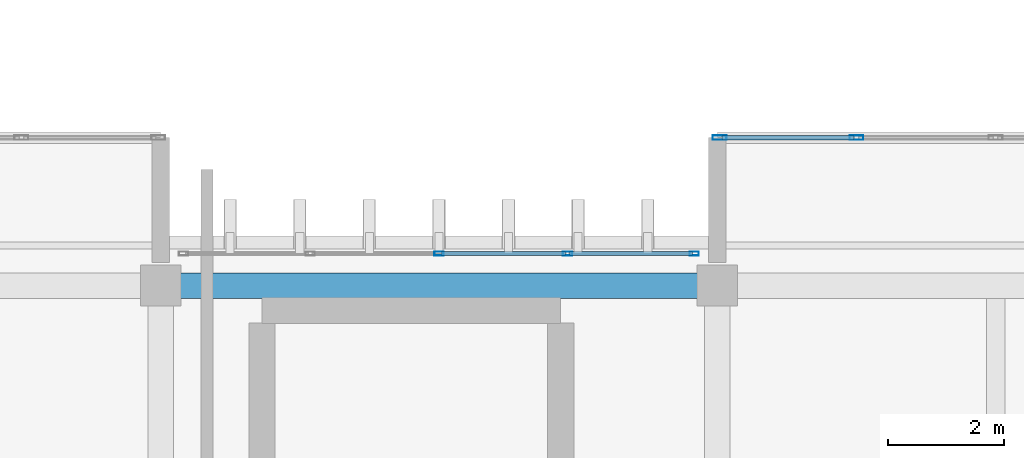
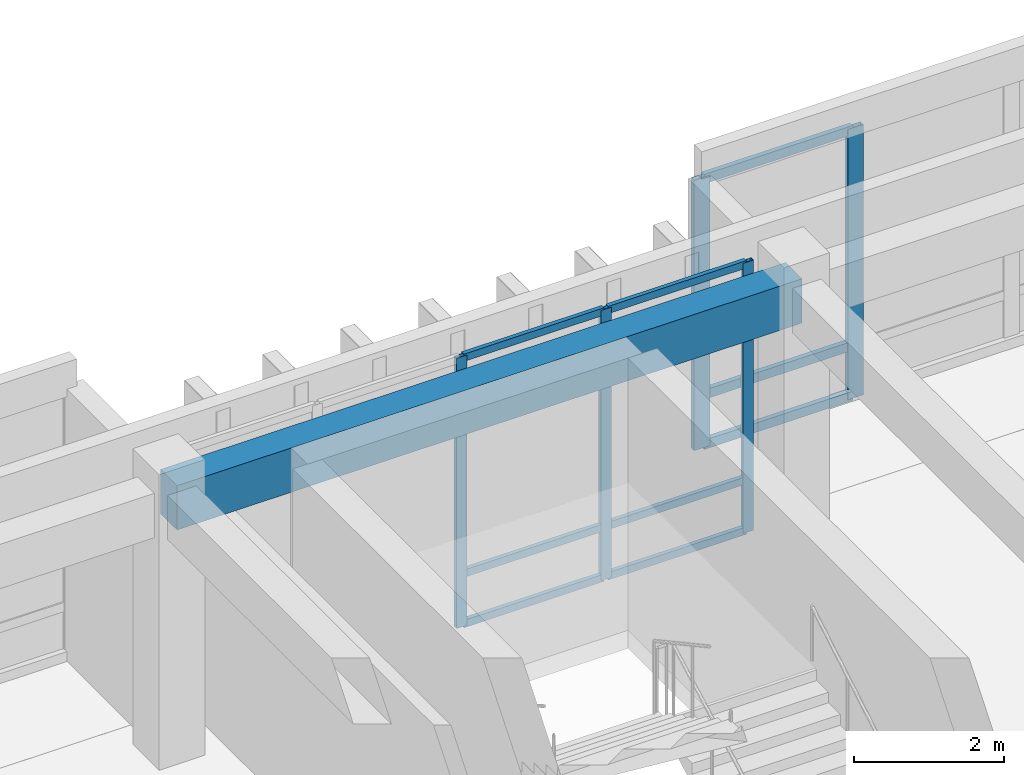
# One storey, part 51 of 133: 14 members, 1 beam, 2 elements without a shape of their own.
"""IFC4 building model written with IfcOpenShell, lengths in metres."""

import ifcopenshell
import ifcopenshell.guid

model = None  # the IFC model being written
_history = None  # IfcOwnerHistory: only IFC2X3 demands one
_inside = {}  # id of a spatial element -> (the spatial element, [elements in it])
_under = {}  # id of a project, library or spatial element -> (it, [spatial elements below it])
_declared = {}  # id of a project -> (the project, [libraries it declares])
_typed = {}  # id of a type object -> (the type object, [elements of that type])
_made_of = {}  # id of a material, layer set ... -> (it, [elements and type objects made of it])


def new_model(schema):
    """Start an empty IFC model of exactly this schema.

    Asked for "IFC4X3", IfcOpenShell would pick the latest addendum, in which some entities
    have other attributes; the version numbers below select the first issue.
    IFC2X3 requires an IfcOwnerHistory on every rooted entity: one is made here for all.
    """
    global model, _history
    if schema == "IFC4X3":
        model = ifcopenshell.file(schema_version=(4, 3, 0, 0))
    else:
        model = ifcopenshell.file(schema=schema)
    _inside.clear()
    _under.clear()
    _declared.clear()
    _typed.clear()
    _made_of.clear()
    _history = None
    if model.schema == "IFC2X3":
        org = make("IfcOrganization", Name="unknown")
        user = make(
            "IfcPersonAndOrganization",
            ThePerson=make("IfcPerson", FamilyName="unknown"),
            TheOrganization=org,
        )
        app = make(
            "IfcApplication",
            ApplicationDeveloper=org,
            Version="unknown",
            ApplicationFullName="unknown",
            ApplicationIdentifier="unknown",
        )
        _history = make(
            "IfcOwnerHistory",
            OwningUser=user,
            OwningApplication=app,
            ChangeAction="ADDED",
            CreationDate=0,
        )
    return model


def make(cls, **values):
    """One entity of the class cls with the attributes given. An attribute that is None is left unset."""
    return model.create_entity(
        cls, **{name: value for name, value in values.items() if value is not None}
    )


def rooted(cls, **values):
    """An entity with a GlobalId (a new one), such as an element, a storey or a relation."""
    return make(cls, GlobalId=ifcopenshell.guid.new(), OwnerHistory=_history, **values)


def si_unit(unit_type, name, prefix=None):
    """IfcSIUnit, for example si_unit("LENGTHUNIT", "METRE", prefix="MILLI")."""
    return make("IfcSIUnit", UnitType=unit_type, Prefix=prefix, Name=name)


def assignment(units):
    """IfcUnitAssignment: the units of a project."""
    return None if units is None else make("IfcUnitAssignment", Units=units)


def point(xyz):
    """IfcCartesianPoint."""
    return None if xyz is None else make("IfcCartesianPoint", Coordinates=xyz)


def direction(xyz):
    """IfcDirection."""
    return None if xyz is None else make("IfcDirection", DirectionRatios=xyz)


def frame(location, z_axis=None, x_axis=None):
    """IfcAxis2Placement3D, a coordinate frame: its origin and axes. An axis left out is left unset."""
    return make(
        "IfcAxis2Placement3D",
        Location=point(location),
        Axis=direction(z_axis),
        RefDirection=direction(x_axis),
    )


def frame_2d(location, x_axis=None):
    """IfcAxis2Placement2D, a coordinate frame in the plane: its origin and x axis."""
    return make(
        "IfcAxis2Placement2D", Location=point(location), RefDirection=direction(x_axis)
    )


def origin():
    """The frame at (0, 0, 0) with its axes left unset."""
    return frame((0.0, 0.0, 0.0))


def origin_2d():
    """The frame at (0, 0) in the plane with its x axis left unset."""
    return frame_2d((0.0, 0.0))


def place(relative_to, where):
    """IfcLocalPlacement: puts the frame where relative to a parent placement (None: the world)."""
    return make(
        "IfcLocalPlacement", PlacementRelTo=relative_to, RelativePlacement=where
    )


def context(
    kind, dimensions, precision=None, world=None, true_north=None, identifier=None
):
    """IfcGeometricRepresentationContext, for example the 3D "Model" context."""
    return make(
        "IfcGeometricRepresentationContext",
        ContextIdentifier=identifier,
        ContextType=kind,
        CoordinateSpaceDimension=dimensions,
        Precision=precision,
        WorldCoordinateSystem=world,
        TrueNorth=true_north,
    )


def subcontext(parent, identifier, kind, view, scale=None):
    """IfcGeometricRepresentationSubContext, for example "Body" below "Model"."""
    return make(
        "IfcGeometricRepresentationSubContext",
        ContextIdentifier=identifier,
        ContextType=kind,
        ParentContext=parent,
        TargetScale=scale,
        TargetView=view,
    )


def project(units=None, contexts=None):
    """IfcProject with its units and contexts."""
    return rooted(
        "IfcProject",
        Name="project",
        RepresentationContexts=contexts,
        UnitsInContext=assignment(units),
    )


def spatial(cls, under=None, at=None, **own):
    """A site, building, storey or space (cls), placed at a placement, below another one or the project."""
    s = rooted(cls, ObjectPlacement=at, **own)
    if under is not None:
        _under.setdefault(under.id(), (under, []))[1].append(s)
    return s


def profile(cls, at=None, kind="AREA", **sizes):
    """A parametric profile (cls). Its sizes go by their IFC names, for example OverallWidth=200.0."""
    return make(cls, ProfileType=kind, Position=at, **sizes)


def rectangle(**sizes):
    """IfcRectangleProfileDef."""
    return profile("IfcRectangleProfileDef", **sizes)


def hollow_rectangle(**sizes):
    """IfcRectangleHollowProfileDef."""
    return profile("IfcRectangleHollowProfileDef", **sizes)


def extrude(swept, where, along, depth):
    """IfcExtrudedAreaSolid: the profile swept, set in the frame where, extruded along a direction by depth."""
    return make(
        "IfcExtrudedAreaSolid",
        SweptArea=swept,
        Position=where,
        ExtrudedDirection=direction(along),
        Depth=depth,
    )


def shape(context_of_items, identifier, shape_type, items):
    """IfcShapeRepresentation: the items that make up one representation, for example the "Body"."""
    return make(
        "IfcShapeRepresentation",
        ContextOfItems=context_of_items,
        RepresentationIdentifier=identifier,
        RepresentationType=shape_type,
        Items=items,
    )


def material(Name=None, Category=None):
    """IfcMaterial."""
    return make("IfcMaterial", Name=Name, Category=Category)


def layer(
    of_material, thickness, ventilated=None, Name=None, Category=None, Priority=None
):
    """IfcMaterialLayer: one layer of a wall or slab, of a material (None: an air gap)."""
    return make(
        "IfcMaterialLayer",
        Material=of_material,
        LayerThickness=thickness,
        IsVentilated=ventilated,
        Name=Name,
        Category=Category,
        Priority=Priority,
    )


def layer_set(layers, Name=None):
    """IfcMaterialLayerSet."""
    return make("IfcMaterialLayerSet", MaterialLayers=layers, LayerSetName=Name)


def material_profile(
    of_material, cross_section, Name=None, Category=None, Priority=None
):
    """IfcMaterialProfile: a cross section and its material."""
    return make(
        "IfcMaterialProfile",
        Name=Name,
        Material=of_material,
        Profile=cross_section,
        Priority=Priority,
        Category=Category,
    )


def profile_set(profiles, Name=None, composite=None):
    """IfcMaterialProfileSet."""
    return make(
        "IfcMaterialProfileSet",
        Name=Name,
        MaterialProfiles=profiles,
        CompositeProfile=composite,
    )


def made_of(thing, what):
    """Note that an element or type object is made of a material, layer set ...; save() writes the relation."""
    if what is not None:
        _made_of.setdefault(what.id(), (what, []))[1].append(thing)
    return thing


def type_object(cls, material=None, **own):
    """A type object (cls), such as IfcWallType, which elements share."""
    return made_of(rooted(cls, **own), material)


def element(
    cls,
    number,
    at=None,
    inside=None,
    cuts=None,
    type_object=None,
    material=None,
    context=None,
    identifier="Body",
    shape_type=None,
    held_by="IfcProductDefinitionShape",
    body=None,
    shapes=None,
    **own,
):
    """One element of the class cls, such as IfcWall. Its Tag is "e" and its number.

    at: its placement. inside: the storey or other place that contains it. cuts: it is an
    opening in that element (IfcRelVoidsElement). A single representation is given by context,
    identifier, shape_type and body (its items); several are given by shapes. held_by: the class
    of the entity that holds the representations. save() writes the other relations.
    """
    e = rooted(cls, Tag="e%d" % number, ObjectPlacement=at, **own)
    if body is not None:
        shapes = [shape(context, identifier, shape_type, body)]
    if shapes is not None:
        e.Representation = make(held_by, Representations=shapes)
    if inside is not None:
        _inside.setdefault(inside.id(), (inside, []))[1].append(e)
    if cuts is not None:
        rooted(
            "IfcRelVoidsElement", RelatingBuildingElement=cuts, RelatedOpeningElement=e
        )
    if type_object is not None:
        _typed.setdefault(type_object.id(), (type_object, []))[1].append(e)
    return made_of(e, material)


def aggregate(whole, parts):
    """IfcRelAggregates: a whole, such as a stair, and the parts it consists of."""
    return rooted("IfcRelAggregates", RelatingObject=whole, RelatedObjects=parts)


def save(model, path):
    """Write the relations noted so far, then the file.

    IfcRelAggregates (storeys below a building ...), IfcRelContainedInSpatialStructure (elements
    in a storey), IfcRelDefinesByType, IfcRelAssociatesMaterial and IfcRelDeclares: one each for
    every whole, place, type object, material and project.
    """
    for whole, parts in _under.values():
        aggregate(whole, parts)
    for where, things in _inside.values():
        rooted(
            "IfcRelContainedInSpatialStructure",
            RelatedElements=things,
            RelatingStructure=where,
        )
    for kind, things in _typed.values():
        rooted("IfcRelDefinesByType", RelatedObjects=things, RelatingType=kind)
    for what, things in _made_of.values():
        rooted("IfcRelAssociatesMaterial", RelatedObjects=things, RelatingMaterial=what)
    for by, libraries in _declared.values():
        rooted("IfcRelDeclares", RelatingContext=by, RelatedDefinitions=libraries)
    model.write(path)


model = new_model("IFC4")

# Units and contexts
model_context = context("Model", 3, precision=1e-05, world=origin(), true_north=direction((0.0, 1.0)))
body_context = subcontext(model_context, "Body", "Model", "MODEL_VIEW")
ifc_project = project(units=[si_unit("LENGTHUNIT", "METRE"), si_unit("AREAUNIT", "SQUARE_METRE"), si_unit("VOLUMEUNIT", "CUBIC_METRE"), si_unit("PLANEANGLEUNIT", "RADIAN"), si_unit("MASSUNIT", "GRAM", prefix="KILO")], contexts=[model_context])

# Site, building, storey
site_placement = place(None, origin())
site = spatial("IfcSite", under=ifc_project, at=site_placement, CompositionType="ELEMENT")
building_placement = place(site_placement, origin())
building = spatial("IfcBuilding", under=site, at=building_placement, Name="Nakhvara Creek Congress Hotel", CompositionType="ELEMENT")
storey_placement = place(building_placement, frame((0.0, 0.0, 11.39990234375)))
storey = spatial("IfcBuildingStorey", under=building, at=storey_placement, Name="L02", CompositionType="ELEMENT", Elevation=11.39990234375)

# Beam
ifc_material_1 = material(Name="Concrete C40/50", Category="concrete")
ifc_material_profile_1 = material_profile(ifc_material_1, rectangle(XDim=0.43994140625, YDim=0.719970703125, at=origin_2d()), Name="RC-BM 440x720", Category="LoadBearing")
ifc_profile_set_1 = profile_set([ifc_material_profile_1], Name="Concrete C40/50")
beam_type = type_object("IfcBeamType", Name="BM-RC-440X720", PredefinedType="BEAM", material=ifc_profile_set_1)
beam_placement = place(storey_placement, frame((115.199951171875, 95.25, 4.06005859375), z_axis=(1.0, 0.0, 0.0), x_axis=(0.0, 1.0, 0.0)))
element("IfcBeam", 1, at=beam_placement, inside=storey, type_object=beam_type, Name="Beam B12-L02-1518", PredefinedType="BEAM", context=body_context, shape_type="SweptSolid", body=[
    extrude(rectangle(XDim=0.43994140625, YDim=0.719970703125, at=origin_2d()), origin(), (0.0, 0.0, 1.0), 9.60009765625),
])

# Curtain wall, members
ifc_material_2 = material(Name="Bronze-anodised aluminium AW-6063-T6 and double-silver low-E glass", Category="aluminium")
ifc_layer_1 = layer(ifc_material_2, 0.199951171875)
ifc_layer_set_1 = layer_set([ifc_layer_1], Name="Bronze-anodised aluminium AW-6063-T6 and double-silver low-E glass")
curtain_wall_type_1 = type_object("IfcCurtainWallType", Name="CW-POD-STICK", PredefinedType="NOTDEFINED", material=ifc_layer_set_1)
curtain_wall_1_placement = place(storey_placement, origin())
curtain_wall_1 = element("IfcCurtainWall", 2, at=curtain_wall_1_placement, inside=storey, type_object=curtain_wall_type_1, Name="Curtain Wall CW087", PredefinedType="NOTDEFINED")
ifc_material_3 = material(Name="Bronze-anodised aluminium AW-6063-T6", Category="aluminium")
ifc_material_profile_2 = material_profile(ifc_material_3, hollow_rectangle(XDim=0.06494140625, YDim=0.159912109375, WallThickness=0.00390625, at=origin_2d()), Name="ALU-MULL 65x160x4", Category="LoadBearing")
ifc_profile_set_2 = profile_set([ifc_material_profile_2], Name="Bronze-anodised aluminium AW-6063-T6")
member_type_1 = type_object("IfcMemberType", Name="CW-MULL-160", PredefinedType="MULLION", material=ifc_profile_set_2)
member_1_placement = place(storey_placement, frame((120.0, 95.800048828125, 0.0), z_axis=(0.0, 0.0, 1.0), x_axis=(0.0, 1.0, 0.0)))
member_1 = element("IfcMember", 3, at=member_1_placement, type_object=member_type_1, Name="CW087 mullion 3", PredefinedType="MULLION", context=body_context, shape_type="SweptSolid", body=[
    extrude(hollow_rectangle(XDim=0.06494140625, YDim=0.159912109375, WallThickness=0.00390625, at=origin_2d()), origin(), (0.0, 0.0, 1.0), 4.39013671875),
])
member_2_placement = place(storey_placement, frame((122.217529296875, 95.800048828125, 0.0), z_axis=(0.0, 0.0, 1.0), x_axis=(0.0, 1.0, 0.0)))
member_2 = element("IfcMember", 4, at=member_2_placement, type_object=member_type_1, Name="CW087 mullion 4", PredefinedType="MULLION", context=body_context, shape_type="SweptSolid", body=[
    extrude(hollow_rectangle(XDim=0.06494140625, YDim=0.159912109375, WallThickness=0.00390625, at=origin_2d()), origin(), (0.0, 0.0, 1.0), 4.39013671875),
])
member_3_placement = place(storey_placement, frame((124.402587890625, 95.800048828125, 0.0), z_axis=(0.0, 0.0, 1.0), x_axis=(0.0, 1.0, 0.0)))
member_3 = element("IfcMember", 5, at=member_3_placement, type_object=member_type_1, Name="CW087 mullion 5", PredefinedType="MULLION", context=body_context, shape_type="SweptSolid", body=[
    extrude(hollow_rectangle(XDim=0.06494140625, YDim=0.159912109375, WallThickness=0.00390625, at=origin_2d()), origin(), (0.0, 0.0, 1.0), 4.39013671875),
])

ifc_layer_2 = layer(ifc_material_2, 0.219970703125)
ifc_layer_set_2 = layer_set([ifc_layer_2], Name="Bronze-anodised aluminium AW-6063-T6 and double-silver low-E glass")
curtain_wall_type_2 = type_object("IfcCurtainWallType", Name="CW-BOX-PROJ", PredefinedType="USERDEFINED", material=ifc_layer_set_2)
curtain_wall_2_placement = place(storey_placement, origin())
curtain_wall_2 = element("IfcCurtainWall", 6, at=curtain_wall_2_placement, inside=storey, type_object=curtain_wall_type_2, Name="Curtain Wall CW083", ObjectType="UNITISED", PredefinedType="USERDEFINED")
ifc_material_profile_3 = material_profile(ifc_material_3, hollow_rectangle(XDim=0.080078125, YDim=0.239990234375, WallThickness=0.0048828125, at=origin_2d()), Name="ALU-MULL 80x240x5", Category="LoadBearing")
ifc_profile_set_3 = profile_set([ifc_material_profile_3], Name="Bronze-anodised aluminium AW-6063-T6")
member_type_2 = type_object("IfcMemberType", Name="CW-MULL-240", PredefinedType="MULLION", material=ifc_profile_set_3)
member_4_placement = place(storey_placement, frame((124.840087890625, 97.800048828125, 0.0), z_axis=(0.0, 0.0, 1.0), x_axis=(0.0, 1.0, 0.0)))
member_4 = element("IfcMember", 7, at=member_4_placement, type_object=member_type_2, Name="CW083 mullion 1", PredefinedType="MULLION", context=body_context, shape_type="SweptSolid", body=[
    extrude(hollow_rectangle(XDim=0.080078125, YDim=0.239990234375, WallThickness=0.0048828125, at=origin_2d()), origin(), (0.0, 0.0, 1.0), 4.39013671875),
])
member_5_placement = place(storey_placement, frame((127.199951171875, 97.800048828125, 0.0), z_axis=(0.0, 0.0, 1.0), x_axis=(0.0, 1.0, 0.0)))
member_5 = element("IfcMember", 8, at=member_5_placement, type_object=member_type_2, Name="CW083 mullion 2", PredefinedType="MULLION", context=body_context, shape_type="SweptSolid", body=[
    extrude(hollow_rectangle(XDim=0.080078125, YDim=0.239990234375, WallThickness=0.0048828125, at=origin_2d()), origin(), (0.0, 0.0, 1.0), 4.39013671875),
])

# Member
ifc_material_profile_4 = material_profile(ifc_material_3, hollow_rectangle(XDim=0.06494140625, YDim=0.1201171875, WallThickness=0.00390625, at=origin_2d()), Name="ALU-TRAN 65x120x4", Category="LoadBearing")
ifc_profile_set_4 = profile_set([ifc_material_profile_4], Name="Bronze-anodised aluminium AW-6063-T6")
member_type_3 = type_object("IfcMemberType", Name="CW-TRAN-120", PredefinedType="USERDEFINED", material=ifc_profile_set_4)
member_6_placement = place(storey_placement, frame((120.032470703125, 95.800048828125, 0.03271484375), z_axis=(1.0, 0.0, 0.0), x_axis=(0.0, 1.0, 0.0)))
member_6 = element("IfcMember", 9, at=member_6_placement, type_object=member_type_3, Name="CW087 transom 3.1", ObjectType="TRANSOM", PredefinedType="USERDEFINED", context=body_context, shape_type="SweptSolid", body=[
    extrude(hollow_rectangle(XDim=0.06494140625, YDim=0.1201171875, WallThickness=0.00390625, at=origin_2d()), origin(), (0.0, 0.0, 1.0), 2.152587890625),
])

member_7_placement = place(storey_placement, frame((120.032470703125, 95.800048828125, 0.85009765625), z_axis=(1.0, 0.0, 0.0), x_axis=(0.0, 1.0, 0.0)))
member_7 = element("IfcMember", 10, at=member_7_placement, type_object=member_type_3, Name="CW087 transom 3.2", ObjectType="TRANSOM", PredefinedType="USERDEFINED", context=body_context, shape_type="SweptSolid", body=[
    extrude(hollow_rectangle(XDim=0.06494140625, YDim=0.1201171875, WallThickness=0.00390625, at=origin_2d()), origin(), (0.0, 0.0, 1.0), 2.152587890625),
])

member_8_placement = place(storey_placement, frame((120.032470703125, 95.800048828125, 4.357666015625), z_axis=(1.0, 0.0, 0.0), x_axis=(0.0, 1.0, 0.0)))
member_8 = element("IfcMember", 11, at=member_8_placement, type_object=member_type_3, Name="CW087 transom 3.3", ObjectType="TRANSOM", PredefinedType="USERDEFINED", context=body_context, shape_type="SweptSolid", body=[
    extrude(hollow_rectangle(XDim=0.06494140625, YDim=0.1201171875, WallThickness=0.00390625, at=origin_2d()), origin(), (0.0, 0.0, 1.0), 2.152587890625),
])

member_9_placement = place(storey_placement, frame((122.25, 95.800048828125, 0.03271484375), z_axis=(1.0, 0.0, 0.0), x_axis=(0.0, 1.0, 0.0)))
member_9 = element("IfcMember", 12, at=member_9_placement, type_object=member_type_3, Name="CW087 transom 4.1", ObjectType="TRANSOM", PredefinedType="USERDEFINED", context=body_context, shape_type="SweptSolid", body=[
    extrude(hollow_rectangle(XDim=0.06494140625, YDim=0.1201171875, WallThickness=0.00390625, at=origin_2d()), origin(), (0.0, 0.0, 1.0), 2.1201171875),
])

member_10_placement = place(storey_placement, frame((122.25, 95.800048828125, 0.85009765625), z_axis=(1.0, 0.0, 0.0), x_axis=(0.0, 1.0, 0.0)))
member_10 = element("IfcMember", 13, at=member_10_placement, type_object=member_type_3, Name="CW087 transom 4.2", ObjectType="TRANSOM", PredefinedType="USERDEFINED", context=body_context, shape_type="SweptSolid", body=[
    extrude(hollow_rectangle(XDim=0.06494140625, YDim=0.1201171875, WallThickness=0.00390625, at=origin_2d()), origin(), (0.0, 0.0, 1.0), 2.1201171875),
])

member_11_placement = place(storey_placement, frame((122.25, 95.800048828125, 4.357666015625), z_axis=(1.0, 0.0, 0.0), x_axis=(0.0, 1.0, 0.0)))
member_11 = element("IfcMember", 14, at=member_11_placement, type_object=member_type_3, Name="CW087 transom 4.3", ObjectType="TRANSOM", PredefinedType="USERDEFINED", context=body_context, shape_type="SweptSolid", body=[
    extrude(hollow_rectangle(XDim=0.06494140625, YDim=0.1201171875, WallThickness=0.00390625, at=origin_2d()), origin(), (0.0, 0.0, 1.0), 2.1201171875),
])

aggregate(curtain_wall_1, [member_1, member_2, member_3, member_6, member_7, member_8, member_9, member_10, member_11])

ifc_material_profile_5 = material_profile(ifc_material_3, hollow_rectangle(XDim=0.074951171875, YDim=0.14990234375, WallThickness=0.00390625, at=origin_2d()), Name="ALU-TRAN 75x150x4", Category="LoadBearing")
ifc_profile_set_5 = profile_set([ifc_material_profile_5], Name="Bronze-anodised aluminium AW-6063-T6")
member_type_4 = type_object("IfcMemberType", Name="CW-TRAN-150", PredefinedType="USERDEFINED", material=ifc_profile_set_5)
member_12_placement = place(storey_placement, frame((124.8798828125, 97.800048828125, 0.03759765625), z_axis=(1.0, 0.0, 0.0), x_axis=(0.0, 1.0, 0.0)))
member_12 = element("IfcMember", 15, at=member_12_placement, type_object=member_type_4, Name="CW083 transom 1.1", ObjectType="TRANSOM", PredefinedType="USERDEFINED", context=body_context, shape_type="SweptSolid", body=[
    extrude(hollow_rectangle(XDim=0.074951171875, YDim=0.14990234375, WallThickness=0.00390625, at=origin_2d()), origin(), (0.0, 0.0, 1.0), 2.280029296875),
])

member_13_placement = place(storey_placement, frame((124.8798828125, 97.800048828125, 0.85009765625), z_axis=(1.0, 0.0, 0.0), x_axis=(0.0, 1.0, 0.0)))
member_13 = element("IfcMember", 16, at=member_13_placement, type_object=member_type_4, Name="CW083 transom 1.2", ObjectType="TRANSOM", PredefinedType="USERDEFINED", context=body_context, shape_type="SweptSolid", body=[
    extrude(hollow_rectangle(XDim=0.074951171875, YDim=0.14990234375, WallThickness=0.00390625, at=origin_2d()), origin(), (0.0, 0.0, 1.0), 2.280029296875),
])

member_14_placement = place(storey_placement, frame((124.8798828125, 97.800048828125, 4.3525390625), z_axis=(1.0, 0.0, 0.0), x_axis=(0.0, 1.0, 0.0)))
member_14 = element("IfcMember", 17, at=member_14_placement, type_object=member_type_4, Name="CW083 transom 1.3", ObjectType="TRANSOM", PredefinedType="USERDEFINED", context=body_context, shape_type="SweptSolid", body=[
    extrude(hollow_rectangle(XDim=0.074951171875, YDim=0.14990234375, WallThickness=0.00390625, at=origin_2d()), origin(), (0.0, 0.0, 1.0), 2.280029296875),
])

aggregate(curtain_wall_2, [member_4, member_5, member_12, member_13, member_14])

save(model, "model.ifc")
